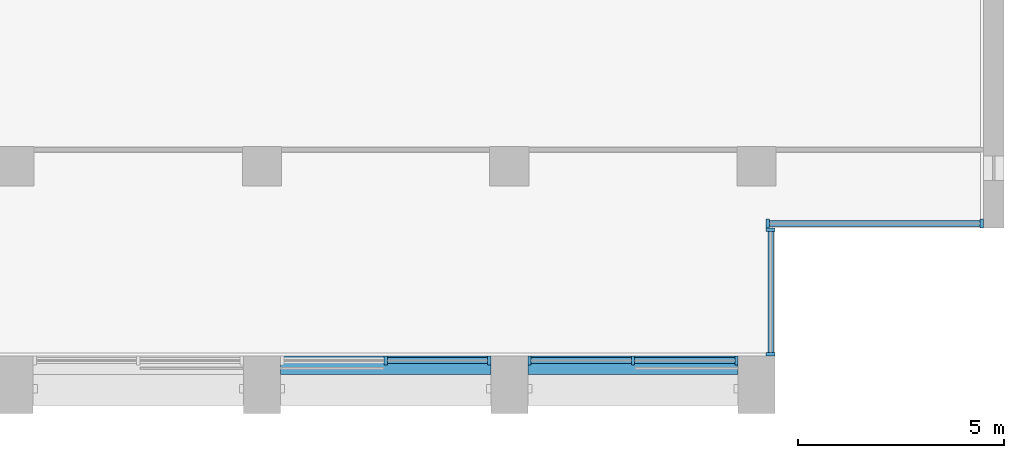
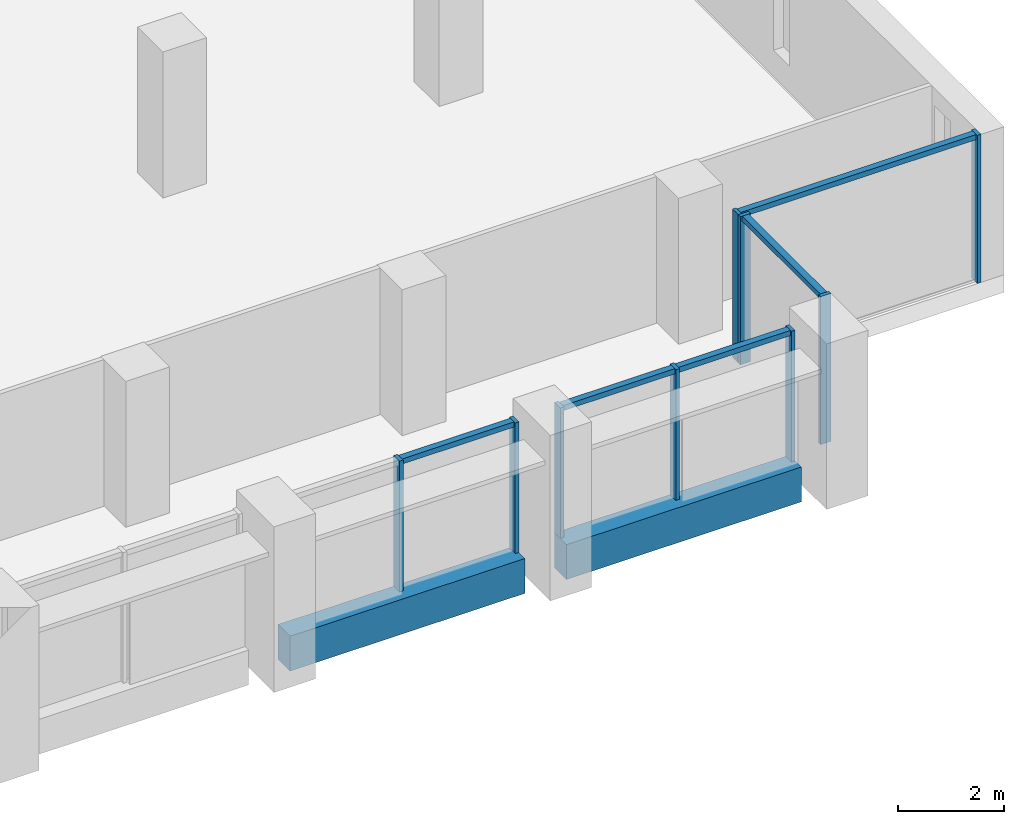
# One storey, part 3 of 14: 14 members, 2 beams, 4 elements without a shape of their own.
"""IFC4 building model written with IfcOpenShell, lengths in metres."""

from ifc_helpers import new_model, si_unit, direction, frame, origin, origin_2d, place, context, subcontext, project, spatial, rectangle, extrude, material, material_profile, profile_set, type_object, element, aggregate, save


model = new_model("IFC4")

# Units and contexts
model_context = context("Model", 3, precision=1e-05, world=origin(), true_north=direction((0.0, 1.0)))
body_context = subcontext(model_context, "Body", "Model", "MODEL_VIEW")
ifc_project = project(units=[si_unit("LENGTHUNIT", "METRE"), si_unit("AREAUNIT", "SQUARE_METRE"), si_unit("VOLUMEUNIT", "CUBIC_METRE"), si_unit("PLANEANGLEUNIT", "RADIAN"), si_unit("MASSUNIT", "GRAM", prefix="KILO")], contexts=[model_context])

# Site, building, storey
site_placement = place(None, origin())
site = spatial("IfcSite", under=ifc_project, at=site_placement, CompositionType="ELEMENT")
building_placement = place(site_placement, origin())
building = spatial("IfcBuilding", under=site, at=building_placement, Name="Calvaro Tower", CompositionType="ELEMENT")
storey_placement = place(building_placement, frame((0.0, 0.0, 235.550048828125)))
storey = spatial("IfcBuildingStorey", under=building, at=storey_placement, Name="L59", CompositionType="ELEMENT", Elevation=235.550048828125)

# Curtain wall, members
ifc_material_1 = material(Name="Anodised aluminium", Category="aluminium")
curtain_wall_type = type_object("IfcCurtainWallType", Name="Executive curtain wall", PredefinedType="NOTDEFINED", material=ifc_material_1)
curtain_wall_1_placement = place(storey_placement, origin())
curtain_wall_1 = element("IfcCurtainWall", 1, at=curtain_wall_1_placement, inside=storey, type_object=curtain_wall_type, Name="CW4 south curtain wall", PredefinedType="NOTDEFINED")
ifc_material_2 = material(Name="Anodised aluminium", Category="aluminium")
ifc_material_profile_1 = material_profile(ifc_material_2, rectangle(XDim=0.219970703125, YDim=0.080078125, at=origin_2d()), Name="Mullion S4 80 x 220")
ifc_profile_set_1 = profile_set([ifc_material_profile_1], Name="Anodised aluminium")
member_type_1 = type_object("IfcMemberType", Name="Mullion S4 80 x 220", PredefinedType="MULLION", material=ifc_profile_set_1)
member_1_placement = place(storey_placement, frame((51.0, 5.2900390625, 0.0), z_axis=(0.0, 0.0, 1.0), x_axis=(0.0, 1.0, 0.0)))
member_1 = element("IfcMember", 2, at=member_1_placement, type_object=member_type_1, Name="CW4 mullion 2", PredefinedType="MULLION", context=body_context, shape_type="SweptSolid", body=[
    extrude(rectangle(XDim=0.219970703125, YDim=0.080078125, at=origin_2d()), origin(), (0.0, 0.0, 1.0), 3.0),
])
member_2_placement = place(storey_placement, frame((53.510009765625, 5.2900390625, 0.0), z_axis=(0.0, 0.0, 1.0), x_axis=(0.0, 1.0, 0.0)))
member_2 = element("IfcMember", 3, at=member_2_placement, type_object=member_type_1, Name="CW4 mullion 3", PredefinedType="MULLION", context=body_context, shape_type="SweptSolid", body=[
    extrude(rectangle(XDim=0.219970703125, YDim=0.080078125, at=origin_2d()), origin(), (0.0, 0.0, 1.0), 3.0),
])

curtain_wall_2_placement = place(storey_placement, origin())
curtain_wall_2 = element("IfcCurtainWall", 4, at=curtain_wall_2_placement, inside=storey, type_object=curtain_wall_type, Name="CW4 south curtain wall", PredefinedType="NOTDEFINED")
member_3_placement = place(storey_placement, frame((54.489990234375, 5.2900390625, 0.0), z_axis=(0.0, 0.0, 1.0), x_axis=(0.0, 1.0, 0.0)))
member_3 = element("IfcMember", 5, at=member_3_placement, type_object=member_type_1, Name="CW4 mullion 1", PredefinedType="MULLION", context=body_context, shape_type="SweptSolid", body=[
    extrude(rectangle(XDim=0.219970703125, YDim=0.080078125, at=origin_2d()), origin(), (0.0, 0.0, 1.0), 3.0),
])
member_4_placement = place(storey_placement, frame((57.0, 5.2900390625, 0.0), z_axis=(0.0, 0.0, 1.0), x_axis=(0.0, 1.0, 0.0)))
member_4 = element("IfcMember", 6, at=member_4_placement, type_object=member_type_1, Name="CW4 mullion 2", PredefinedType="MULLION", context=body_context, shape_type="SweptSolid", body=[
    extrude(rectangle(XDim=0.219970703125, YDim=0.080078125, at=origin_2d()), origin(), (0.0, 0.0, 1.0), 3.0),
])
member_5_placement = place(storey_placement, frame((59.510009765625, 5.2900390625, 0.0), z_axis=(0.0, 0.0, 1.0), x_axis=(0.0, 1.0, 0.0)))
member_5 = element("IfcMember", 7, at=member_5_placement, type_object=member_type_1, Name="CW4 mullion 3", PredefinedType="MULLION", context=body_context, shape_type="SweptSolid", body=[
    extrude(rectangle(XDim=0.219970703125, YDim=0.080078125, at=origin_2d()), origin(), (0.0, 0.0, 1.0), 3.0),
])

curtain_wall_3_placement = place(storey_placement, origin())
curtain_wall_3 = element("IfcCurtainWall", 8, at=curtain_wall_3_placement, inside=storey, type_object=curtain_wall_type, Name="CW4 corner curtain wall", PredefinedType="NOTDEFINED")
member_6_placement = place(storey_placement, frame((60.340087890625, 5.43994140625, 0.0), z_axis=(0.0, 0.0, 1.0), x_axis=(-1.0, 0.0, 0.0)))
member_6 = element("IfcMember", 9, at=member_6_placement, type_object=member_type_1, Name="CW4 mullion 1", PredefinedType="MULLION", context=body_context, shape_type="SweptSolid", body=[
    extrude(rectangle(XDim=0.219970703125, YDim=0.080078125, at=origin_2d()), origin(), (0.0, 0.0, 1.0), 3.39990234375),
])
member_7_placement = place(storey_placement, frame((60.340087890625, 8.4599609375, 0.0), z_axis=(0.0, 0.0, 1.0), x_axis=(-1.0, 0.0, 0.0)))
member_7 = element("IfcMember", 10, at=member_7_placement, type_object=member_type_1, Name="CW4 mullion 2", PredefinedType="MULLION", context=body_context, shape_type="SweptSolid", body=[
    extrude(rectangle(XDim=0.219970703125, YDim=0.080078125, at=origin_2d()), origin(), (0.0, 0.0, 1.0), 3.39990234375),
])

curtain_wall_4_placement = place(storey_placement, origin())
curtain_wall_4 = element("IfcCurtainWall", 11, at=curtain_wall_4_placement, inside=storey, type_object=curtain_wall_type, Name="CW4 corner curtain wall", PredefinedType="NOTDEFINED")
member_8_placement = place(storey_placement, frame((60.27001953125, 8.610107421875, 0.0), z_axis=(0.0, 0.0, 1.0), x_axis=(0.0, 1.0, 0.0)))
member_8 = element("IfcMember", 12, at=member_8_placement, type_object=member_type_1, Name="CW4 mullion 1", PredefinedType="MULLION", context=body_context, shape_type="SweptSolid", body=[
    extrude(rectangle(XDim=0.219970703125, YDim=0.080078125, at=origin_2d()), origin(), (0.0, 0.0, 1.0), 3.39990234375),
])
member_9_placement = place(storey_placement, frame((65.4599609375, 8.610107421875, 0.0), z_axis=(0.0, 0.0, 1.0), x_axis=(0.0, 1.0, 0.0)))
member_9 = element("IfcMember", 13, at=member_9_placement, type_object=member_type_1, Name="CW4 mullion 2", PredefinedType="MULLION", context=body_context, shape_type="SweptSolid", body=[
    extrude(rectangle(XDim=0.219970703125, YDim=0.080078125, at=origin_2d()), origin(), (0.0, 0.0, 1.0), 3.39990234375),
])

# Beams
ifc_material_3 = material(Name="Concrete C50/60 precast", Category="concrete")
ifc_material_profile_2 = material_profile(ifc_material_3, rectangle(XDim=0.449951171875, YDim=0.800048828125, at=origin_2d()), Name="RC 450x800")
ifc_profile_set_2 = profile_set([ifc_material_profile_2], Name="Concrete C50/60 precast")
beam_type = type_object("IfcBeamType", Name="Spandrel beam 450x800 C50/60", PredefinedType="SPANDREL", material=ifc_profile_set_2)
for number, where, z_axis, x_axis, name in (
    (14, (48.449951171875, 5.175048828125, -0.400146484375), (1.0, 0.0, 0.0), (0.0, 1.0, 0.0), "Spandrel beam"),
    (15, (54.449951171875, 5.175048828125, -0.400146484375), (1.0, 0.0, 0.0), (0.0, 1.0, 0.0), "Spandrel beam"),
):
    element("IfcBeam", number, at=place(storey_placement, frame(where, z_axis=z_axis, x_axis=x_axis)), inside=storey, type_object=beam_type, Name=name, PredefinedType="SPANDREL", context=body_context, shape_type="SweptSolid", body=[
        extrude(rectangle(XDim=0.449951171875, YDim=0.800048828125, at=origin_2d()), origin(), (0.0, 0.0, 1.0), 5.10009765625),
    ])

# Member
ifc_material_4 = material(Name="Anodised aluminium", Category="aluminium")
ifc_material_profile_3 = material_profile(ifc_material_4, rectangle(XDim=0.139892578125, YDim=0.1201171875, at=origin_2d()), Name="Transom S4 120 x 140")
ifc_profile_set_3 = profile_set([ifc_material_profile_3], Name="Anodised aluminium")
member_type_2 = type_object("IfcMemberType", Name="Transom S4 120 x 140", PredefinedType="USERDEFINED", material=ifc_profile_set_3)
member_10_placement = place(storey_placement, frame((51.0400390625, 5.2900390625, 2.93994140625), z_axis=(1.0, 0.0, 0.0), x_axis=(0.0, 1.0, 0.0)))
member_10 = element("IfcMember", 16, at=member_10_placement, type_object=member_type_2, Name="CW4 transom 2.1", ObjectType="TRANSOM", PredefinedType="USERDEFINED", context=body_context, shape_type="SweptSolid", body=[
    extrude(rectangle(XDim=0.139892578125, YDim=0.1201171875, at=origin_2d()), origin(), (0.0, 0.0, 1.0), 2.429931640625),
])

aggregate(curtain_wall_1, [member_1, member_2, member_10])

member_11_placement = place(storey_placement, frame((54.530029296875, 5.2900390625, 2.93994140625), z_axis=(1.0, 0.0, 0.0), x_axis=(0.0, 1.0, 0.0)))
member_11 = element("IfcMember", 17, at=member_11_placement, type_object=member_type_2, Name="CW4 transom 1.1", ObjectType="TRANSOM", PredefinedType="USERDEFINED", context=body_context, shape_type="SweptSolid", body=[
    extrude(rectangle(XDim=0.139892578125, YDim=0.1201171875, at=origin_2d()), origin(), (0.0, 0.0, 1.0), 2.429931640625),
])

member_12_placement = place(storey_placement, frame((57.0400390625, 5.2900390625, 2.93994140625), z_axis=(1.0, 0.0, 0.0), x_axis=(0.0, 1.0, 0.0)))
member_12 = element("IfcMember", 18, at=member_12_placement, type_object=member_type_2, Name="CW4 transom 2.1", ObjectType="TRANSOM", PredefinedType="USERDEFINED", context=body_context, shape_type="SweptSolid", body=[
    extrude(rectangle(XDim=0.139892578125, YDim=0.1201171875, at=origin_2d()), origin(), (0.0, 0.0, 1.0), 2.429931640625),
])

aggregate(curtain_wall_2, [member_3, member_4, member_5, member_11, member_12])

member_13_placement = place(storey_placement, frame((60.340087890625, 5.47998046875, 3.33984375), z_axis=(0.0, 1.0, 0.0), x_axis=(-1.0, 0.0, 0.0)))
member_13 = element("IfcMember", 19, at=member_13_placement, type_object=member_type_2, Name="CW4 transom 1.1", ObjectType="TRANSOM", PredefinedType="USERDEFINED", context=body_context, shape_type="SweptSolid", body=[
    extrude(rectangle(XDim=0.139892578125, YDim=0.1201171875, at=origin_2d()), origin(), (0.0, 0.0, 1.0), 2.93994140625),
])

aggregate(curtain_wall_3, [member_6, member_7, member_13])

member_14_placement = place(storey_placement, frame((60.31005859375, 8.610107421875, 3.33984375), z_axis=(1.0, 0.0, 0.0), x_axis=(0.0, 1.0, 0.0)))
member_14 = element("IfcMember", 20, at=member_14_placement, type_object=member_type_2, Name="CW4 transom 1.1", ObjectType="TRANSOM", PredefinedType="USERDEFINED", context=body_context, shape_type="SweptSolid", body=[
    extrude(rectangle(XDim=0.139892578125, YDim=0.1201171875, at=origin_2d()), origin(), (0.0, 0.0, 1.0), 5.10986328125),
])

aggregate(curtain_wall_4, [member_8, member_9, member_14])

save(model, "model.ifc")
